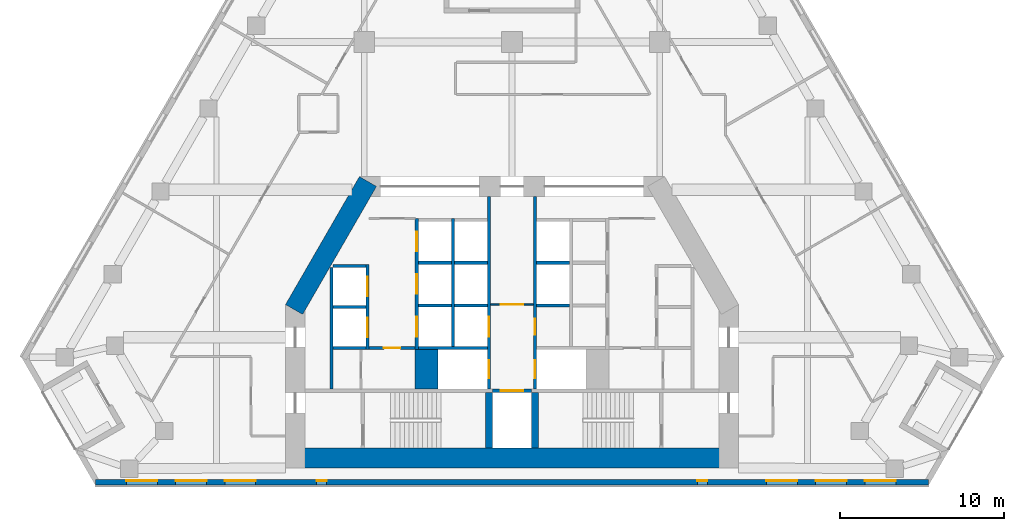
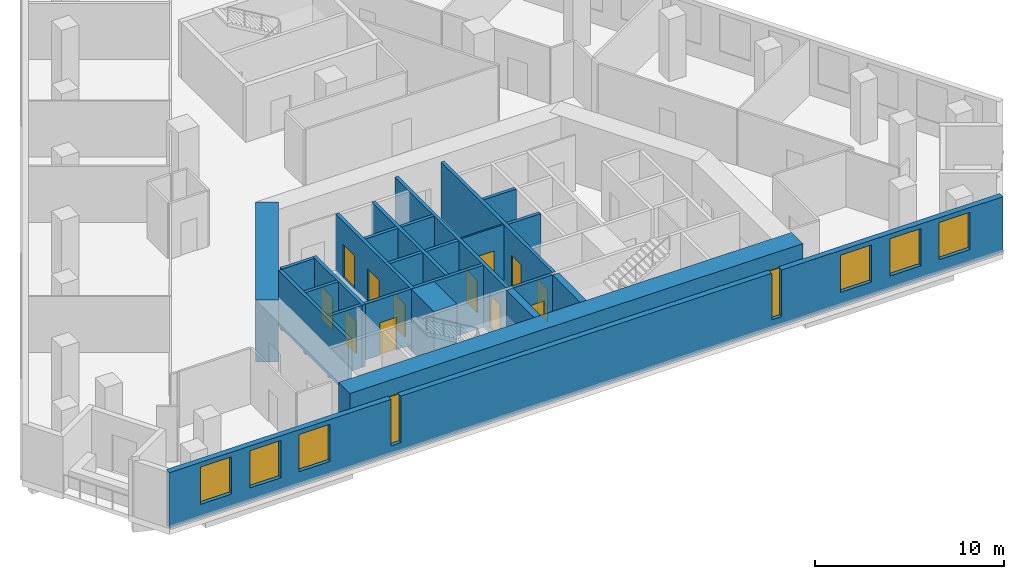
# One storey, part 4 of 10: 25 walls, 12 doors, 8 windows, 20 openings.
"""IFC4 building model written with IfcOpenShell, lengths in metres."""

from ifc_helpers import new_model, si_unit, direction, frame, frame_2d, origin, place, context, subcontext, project, spatial, rectangle, extrude, material, layer, layer_set, type_object, element, fill, save


model = new_model("IFC4")

# Units and contexts
model_context = context("Model", 3, precision=1e-05, world=origin(), true_north=direction((0.0, 1.0)))
body_context = subcontext(model_context, "Body", "Model", "MODEL_VIEW")
ifc_project = project(units=[si_unit("LENGTHUNIT", "METRE"), si_unit("AREAUNIT", "SQUARE_METRE"), si_unit("VOLUMEUNIT", "CUBIC_METRE"), si_unit("PLANEANGLEUNIT", "RADIAN"), si_unit("MASSUNIT", "GRAM", prefix="KILO")], contexts=[model_context])

# Site, building, storey
site_placement = place(None, origin())
site = spatial("IfcSite", under=ifc_project, at=site_placement, CompositionType="ELEMENT")
building_placement = place(site_placement, origin())
building = spatial("IfcBuilding", under=site, at=building_placement, Name="Fogline Exchange Tower", CompositionType="ELEMENT")
storey_placement = place(building_placement, frame((0.0, 0.0, 120.10009765625)))
storey = spatial("IfcBuildingStorey", under=building, at=storey_placement, Name="L26", CompositionType="ELEMENT", Elevation=120.10009765625)

# Wall, opening, door
ifc_material_1 = material(Name="Blockwork partition", Category="masonry")
ifc_layer_1 = layer(ifc_material_1, 0.10009765625)
ifc_layer_set_1 = layer_set([ifc_layer_1], Name="CW10")
wall_type_1 = type_object("IfcWallType", Name="CW10", PredefinedType="PARTITIONING", material=ifc_layer_set_1)
wall_1_placement = place(storey_placement, frame((-1.300048828125, 11.0, 0.0), z_axis=(0.0, 0.0, 1.0), x_axis=(1.0, 0.0, 0.0)))
wall_1 = element("IfcWall", 1, at=wall_1_placement, inside=storey, type_object=wall_type_1, Name="Lift lobby partition", PredefinedType="PARTITIONING", context=body_context, shape_type="SweptSolid", body=[
    extrude(rectangle(XDim=2.60009765625, YDim=0.10009765625, at=frame_2d((1.300048828125, 0.0))), origin(), (0.0, 0.0, 1.0), 3.599853515625),
])
opening_1_placement = place(wall_1_placement, frame((0.60009765625, 0.0, 0.0)))
opening_1 = element("IfcOpeningElement", 2, at=opening_1_placement, cuts=wall_1, Name="Opening T08-C019", PredefinedType="OPENING", context=body_context, shape_type="SweptSolid", body=[
    extrude(rectangle(XDim=1.39990234375, YDim=2.10009765625, at=frame_2d((0.699951171875, 1.050048828125))), frame((0.0, 0.06005859375, 0.0), z_axis=(0.0, -1.0, 0.0), x_axis=(1.0, 0.0, 0.0)), (0.0, 0.0, 1.0), 0.1201171875),
])
ifc_material_2 = material(Name="Steel and timber fire door", Category="steel")
door_type_1 = type_object("IfcDoorType", Name="D-LB1", OperationType="DOUBLE_DOOR_SINGLE_SWING", PredefinedType="DOOR", material=ifc_material_2)
door_1_placement = place(opening_1_placement, frame((1.39990234375, 0.0, 0.0), z_axis=(0.0, 0.0, 1.0), x_axis=(-1.0, 0.0, 0.0)))
door_1 = element("IfcDoor", 3, at=door_1_placement, inside=storey, type_object=door_type_1, Name="Door to firefighting lift lobby", OperationType="DOUBLE_DOOR_SINGLE_SWING", OverallHeight=2.10009765625, OverallWidth=1.39990234375, PredefinedType="DOOR", context=body_context, shape_type="SweptSolid", body=[
    extrude(rectangle(XDim=1.39990234375, YDim=2.10009765625, at=frame_2d((0.699951171875, 1.050048828125))), frame((0.0, 0.02490234375, 0.0), z_axis=(0.0, -1.0, 0.0), x_axis=(1.0, 0.0, 0.0)), (0.0, 0.0, 1.0), 0.050048828125),
])
fill(opening_1, door_1)

# Walls
ifc_material_3 = material(Name="Concrete C60", Category="concrete")
ifc_layer_2 = layer(ifc_material_3, 1.39990234375)
ifc_layer_set_2 = layer_set([ifc_layer_2], Name="CW140")
wall_type_2 = type_object("IfcWallType", Name="CW140", PredefinedType="SOLIDWALL", material=ifc_layer_set_2)
wall_2_placement = place(storey_placement, frame((-5.199951171875, 5.85009765625, -0.400146484375), z_axis=(0.0, 0.0, 1.0), x_axis=(0.0, 1.0, 0.0)))
element("IfcWall", 4, at=wall_2_placement, inside=storey, type_object=wall_type_2, Name="Lift shaft block wall", PredefinedType="SOLIDWALL", context=body_context, shape_type="SweptSolid", body=[
    extrude(rectangle(XDim=2.39990234375, YDim=1.39990234375, at=frame_2d((1.199951171875, 0.0))), origin(), (0.0, 0.0, 1.0), 4.0),
])
ifc_material_4 = material(Name="Concrete C40", Category="concrete")
ifc_layer_3 = layer(ifc_material_4, 0.199951171875)
ifc_layer_set_3 = layer_set([ifc_layer_3], Name="CW20")
wall_type_3 = type_object("IfcWallType", Name="CW20", PredefinedType="SOLIDWALL", material=ifc_layer_set_3)
wall_3_placement = place(storey_placement, frame((-11.0, 5.85009765625, 0.0), z_axis=(0.0, 0.0, 1.0), x_axis=(0.0, 1.0, 0.0)))
element("IfcWall", 5, at=wall_3_placement, inside=storey, type_object=wall_type_3, Name="Service room wall", PredefinedType="SOLIDWALL", context=body_context, shape_type="SweptSolid", body=[
    extrude(rectangle(XDim=7.39990234375, YDim=0.199951171875, at=frame_2d((3.699951171875, 0.0))), origin(), (0.0, 0.0, 1.0), 3.599853515625),
])

# Wall, opening, door
wall_4_placement = place(storey_placement, frame((-8.699951171875, 8.35009765625, 0.0), z_axis=(0.0, 0.0, 1.0), x_axis=(1.0, 0.0, 0.0)))
wall_4 = element("IfcWall", 6, at=wall_4_placement, inside=storey, type_object=wall_type_3, Name="WC wall", PredefinedType="SOLIDWALL", context=body_context, shape_type="SweptSolid", body=[
    extrude(rectangle(XDim=2.800048828125, YDim=0.199951171875, at=frame_2d((1.39990234375, 0.0))), origin(), (0.0, 0.0, 1.0), 3.599853515625),
])
opening_2_placement = place(wall_4_placement, frame((0.89990234375, 0.0, 0.0)))
opening_2 = element("IfcOpeningElement", 7, at=opening_2_placement, cuts=wall_4, Name="Opening T08-C008", PredefinedType="OPENING", context=body_context, shape_type="SweptSolid", body=[
    extrude(rectangle(XDim=1.0, YDim=2.10009765625, at=frame_2d((0.5, 1.050048828125))), frame((0.0, 0.10986328125, 0.0), z_axis=(0.0, -1.0, 0.0), x_axis=(1.0, 0.0, 0.0)), (0.0, 0.0, 1.0), 0.219970703125),
])
door_type_2 = type_object("IfcDoorType", Name="D-WC1", OperationType="SINGLE_SWING_LEFT", PredefinedType="DOOR", material=ifc_material_2)
door_2_placement = place(opening_2_placement, frame((1.0, 0.0, 0.0), z_axis=(0.0, 0.0, 1.0), x_axis=(-1.0, 0.0, 0.0)))
door_2 = element("IfcDoor", 8, at=door_2_placement, inside=storey, type_object=door_type_2, Name="Door to Men's WC", OperationType="SINGLE_SWING_LEFT", OverallHeight=2.10009765625, OverallWidth=1.0, PredefinedType="DOOR", context=body_context, shape_type="SweptSolid", body=[
    extrude(rectangle(XDim=1.0, YDim=2.10009765625, at=frame_2d((0.5, 1.050048828125))), frame((0.0, 0.02490234375, 0.0), z_axis=(0.0, -1.0, 0.0), x_axis=(1.0, 0.0, 0.0)), (0.0, 0.0, 1.0), 0.050048828125),
])
fill(opening_2, door_2)

ifc_layer_4 = layer(ifc_material_4, 0.199951171875)
ifc_layer_set_4 = layer_set([ifc_layer_4], Name="CW20R")
wall_type_4 = type_object("IfcWallType", Name="CW20R", PredefinedType="SOLIDWALL", material=ifc_layer_set_4)
wall_5_placement = place(storey_placement, frame((-1.199951171875, 5.75, -0.400146484375), z_axis=(0.0, 0.0, 1.0), x_axis=(1.0, 0.0, 0.0)))
wall_5 = element("IfcWall", 9, at=wall_5_placement, inside=storey, type_object=wall_type_4, Name="Stair enclosure wall", PredefinedType="SOLIDWALL", context=body_context, shape_type="SweptSolid", body=[
    extrude(rectangle(XDim=2.39990234375, YDim=0.199951171875, at=frame_2d((1.199951171875, 0.0))), origin(), (0.0, 0.0, 1.0), 4.0),
])
opening_3_placement = place(wall_5_placement, frame((0.5, 0.0, 0.39990234375)))
opening_3 = element("IfcOpeningElement", 10, at=opening_3_placement, cuts=wall_5, Name="Opening T08-LD09", PredefinedType="OPENING", context=body_context, shape_type="SweptSolid", body=[
    extrude(rectangle(XDim=1.39990234375, YDim=2.10009765625, at=frame_2d((0.699951171875, 1.050048828125))), frame((0.0, 0.10986328125, 0.0), z_axis=(0.0, -1.0, 0.0), x_axis=(1.0, 0.0, 0.0)), (0.0, 0.0, 1.0), 0.219970703125),
])
door_type_3 = type_object("IfcDoorType", Name="LD3", OperationType="SLIDING_TO_LEFT", PredefinedType="DOOR", material=ifc_material_2)
door_3_placement = place(opening_3_placement, origin())
door_3 = element("IfcDoor", 11, at=door_3_placement, inside=storey, type_object=door_type_3, Name="Landing door GL1", OperationType="SLIDING_TO_LEFT", OverallHeight=2.10009765625, OverallWidth=1.39990234375, PredefinedType="DOOR", context=body_context, shape_type="SweptSolid", body=[
    extrude(rectangle(XDim=1.39990234375, YDim=2.10009765625, at=frame_2d((0.699951171875, 1.050048828125))), frame((0.0, 0.02490234375, 0.0), z_axis=(0.0, -1.0, 0.0), x_axis=(1.0, 0.0, 0.0)), (0.0, 0.0, 1.0), 0.050048828125),
])
fill(opening_3, door_3)

# Wall, openings, doors
ifc_layer_5 = layer(ifc_material_4, 0.199951171875)
ifc_layer_set_5 = layer_set([ifc_layer_5], Name="CW20S")
wall_type_5 = type_object("IfcWallType", Name="CW20S", PredefinedType="SOLIDWALL", material=ifc_layer_set_5)
wall_6_placement = place(storey_placement, frame((-8.800048828125, 8.25, -0.400146484375), z_axis=(0.0, 0.0, 1.0), x_axis=(0.0, 1.0, 0.0)))
wall_6 = element("IfcWall", 12, at=wall_6_placement, inside=storey, type_object=wall_type_5, Name="Lift shaft wall", PredefinedType="SOLIDWALL", context=body_context, shape_type="SweptSolid", body=[
    extrude(rectangle(XDim=5.199951171875, YDim=0.199951171875, at=frame_2d((2.60009765625, 0.0))), origin(), (0.0, 0.0, 1.0), 4.0),
])
opening_4_placement = place(wall_6_placement, frame((0.75, 0.0, 0.39990234375)))
opening_4 = element("IfcOpeningElement", 13, at=opening_4_placement, cuts=wall_6, Name="Opening T08-LD01", PredefinedType="OPENING", context=body_context, shape_type="SweptSolid", body=[
    extrude(rectangle(XDim=1.199951171875, YDim=2.10009765625, at=frame_2d((0.60009765625, 1.050048828125))), frame((0.0, 0.10986328125, 0.0), z_axis=(0.0, -1.0, 0.0), x_axis=(1.0, 0.0, 0.0)), (0.0, 0.0, 1.0), 0.219970703125),
])
opening_5_placement = place(wall_6_placement, frame((3.25, 0.0, 0.39990234375)))
opening_5 = element("IfcOpeningElement", 14, at=opening_5_placement, cuts=wall_6, Name="Opening T08-LD02", PredefinedType="OPENING", context=body_context, shape_type="SweptSolid", body=[
    extrude(rectangle(XDim=1.199951171875, YDim=2.10009765625, at=frame_2d((0.60009765625, 1.050048828125))), frame((0.0, 0.10986328125, 0.0), z_axis=(0.0, -1.0, 0.0), x_axis=(1.0, 0.0, 0.0)), (0.0, 0.0, 1.0), 0.219970703125),
])
door_type_4 = type_object("IfcDoorType", Name="LD1", OperationType="SLIDING_TO_LEFT", PredefinedType="DOOR", material=ifc_material_2)
door_4_placement = place(opening_4_placement, origin())
door_4 = element("IfcDoor", 15, at=door_4_placement, inside=storey, type_object=door_type_4, Name="Landing door LR1", OperationType="SLIDING_TO_LEFT", OverallHeight=2.10009765625, OverallWidth=1.199951171875, PredefinedType="DOOR", context=body_context, shape_type="SweptSolid", body=[
    extrude(rectangle(XDim=1.199951171875, YDim=2.10009765625, at=frame_2d((0.60009765625, 1.050048828125))), frame((0.0, 0.02490234375, 0.0), z_axis=(0.0, -1.0, 0.0), x_axis=(1.0, 0.0, 0.0)), (0.0, 0.0, 1.0), 0.050048828125),
])
fill(opening_4, door_4)
door_5_placement = place(opening_5_placement, origin())
door_5 = element("IfcDoor", 16, at=door_5_placement, inside=storey, type_object=door_type_4, Name="Landing door LR2", OperationType="SLIDING_TO_LEFT", OverallHeight=2.10009765625, OverallWidth=1.199951171875, PredefinedType="DOOR", context=body_context, shape_type="SweptSolid", body=[
    extrude(rectangle(XDim=1.199951171875, YDim=2.10009765625, at=frame_2d((0.60009765625, 1.050048828125))), frame((0.0, 0.02490234375, 0.0), z_axis=(0.0, -1.0, 0.0), x_axis=(1.0, 0.0, 0.0)), (0.0, 0.0, 1.0), 0.050048828125),
])
fill(opening_5, door_5)

wall_7_placement = place(storey_placement, frame((-5.800048828125, 8.25, -0.400146484375), z_axis=(0.0, 0.0, 1.0), x_axis=(0.0, 1.0, 0.0)))
wall_7 = element("IfcWall", 17, at=wall_7_placement, inside=storey, type_object=wall_type_5, Name="Lift shaft wall", PredefinedType="SOLIDWALL", context=body_context, shape_type="SweptSolid", body=[
    extrude(rectangle(XDim=8.0, YDim=0.199951171875, at=frame_2d((4.0, 0.0))), origin(), (0.0, 0.0, 1.0), 4.0),
])
opening_6_placement = place(wall_7_placement, frame((0.800048828125, 0.0, 0.39990234375)))
opening_6 = element("IfcOpeningElement", 18, at=opening_6_placement, cuts=wall_7, Name="Opening T08-LD03", PredefinedType="OPENING", context=body_context, shape_type="SweptSolid", body=[
    extrude(rectangle(XDim=1.199951171875, YDim=2.10009765625, at=frame_2d((0.60009765625, 1.050048828125))), frame((0.0, 0.10986328125, 0.0), z_axis=(0.0, -1.0, 0.0), x_axis=(1.0, 0.0, 0.0)), (0.0, 0.0, 1.0), 0.219970703125),
])
opening_7_placement = place(wall_7_placement, frame((3.39990234375, 0.0, 0.39990234375)))
opening_7 = element("IfcOpeningElement", 19, at=opening_7_placement, cuts=wall_7, Name="Opening T08-LD04", PredefinedType="OPENING", context=body_context, shape_type="SweptSolid", body=[
    extrude(rectangle(XDim=1.199951171875, YDim=2.10009765625, at=frame_2d((0.60009765625, 1.050048828125))), frame((0.0, 0.10986328125, 0.0), z_axis=(0.0, -1.0, 0.0), x_axis=(1.0, 0.0, 0.0)), (0.0, 0.0, 1.0), 0.219970703125),
])
opening_8_placement = place(wall_7_placement, frame((6.0, 0.0, 0.39990234375)))
opening_8 = element("IfcOpeningElement", 20, at=opening_8_placement, cuts=wall_7, Name="Opening T08-LD05", PredefinedType="OPENING", context=body_context, shape_type="SweptSolid", body=[
    extrude(rectangle(XDim=1.199951171875, YDim=2.10009765625, at=frame_2d((0.60009765625, 1.050048828125))), frame((0.0, 0.10986328125, 0.0), z_axis=(0.0, -1.0, 0.0), x_axis=(1.0, 0.0, 0.0)), (0.0, 0.0, 1.0), 0.219970703125),
])
door_6_placement = place(opening_6_placement, origin())
door_6 = element("IfcDoor", 21, at=door_6_placement, inside=storey, type_object=door_type_4, Name="Landing door LR3", OperationType="SLIDING_TO_LEFT", OverallHeight=2.10009765625, OverallWidth=1.199951171875, PredefinedType="DOOR", context=body_context, shape_type="SweptSolid", body=[
    extrude(rectangle(XDim=1.199951171875, YDim=2.10009765625, at=frame_2d((0.60009765625, 1.050048828125))), frame((0.0, 0.02490234375, 0.0), z_axis=(0.0, -1.0, 0.0), x_axis=(1.0, 0.0, 0.0)), (0.0, 0.0, 1.0), 0.050048828125),
])
fill(opening_6, door_6)
door_7_placement = place(opening_7_placement, origin())
door_7 = element("IfcDoor", 22, at=door_7_placement, inside=storey, type_object=door_type_4, Name="Landing door LR4", OperationType="SLIDING_TO_LEFT", OverallHeight=2.10009765625, OverallWidth=1.199951171875, PredefinedType="DOOR", context=body_context, shape_type="SweptSolid", body=[
    extrude(rectangle(XDim=1.199951171875, YDim=2.10009765625, at=frame_2d((0.60009765625, 1.050048828125))), frame((0.0, 0.02490234375, 0.0), z_axis=(0.0, -1.0, 0.0), x_axis=(1.0, 0.0, 0.0)), (0.0, 0.0, 1.0), 0.050048828125),
])
fill(opening_7, door_7)
door_8_placement = place(opening_8_placement, origin())
door_8 = element("IfcDoor", 23, at=door_8_placement, inside=storey, type_object=door_type_4, Name="Landing door LR5", OperationType="SLIDING_TO_LEFT", OverallHeight=2.10009765625, OverallWidth=1.199951171875, PredefinedType="DOOR", context=body_context, shape_type="SweptSolid", body=[
    extrude(rectangle(XDim=1.199951171875, YDim=2.10009765625, at=frame_2d((0.60009765625, 1.050048828125))), frame((0.0, 0.02490234375, 0.0), z_axis=(0.0, -1.0, 0.0), x_axis=(1.0, 0.0, 0.0)), (0.0, 0.0, 1.0), 0.050048828125),
])
fill(opening_8, door_8)

# Wall
wall_8_placement = place(storey_placement, frame((-3.60009765625, 8.449951171875, -0.400146484375), z_axis=(0.0, 0.0, 1.0), x_axis=(0.0, 1.0, 0.0)))
element("IfcWall", 24, at=wall_8_placement, inside=storey, type_object=wall_type_5, Name="Lift shaft wall", PredefinedType="SOLIDWALL", context=body_context, shape_type="SweptSolid", body=[
    extrude(rectangle(XDim=7.800048828125, YDim=0.199951171875, at=frame_2d((3.89990234375, 0.0))), origin(), (0.0, 0.0, 1.0), 4.0),
])

# Wall, openings, doors
wall_9_placement = place(storey_placement, frame((-1.39990234375, 5.85009765625, -0.400146484375), z_axis=(0.0, 0.0, 1.0), x_axis=(0.0, 1.0, 0.0)))
wall_9 = element("IfcWall", 25, at=wall_9_placement, inside=storey, type_object=wall_type_5, Name="Lift lobby wall", PredefinedType="SOLIDWALL", context=body_context, shape_type="SweptSolid", body=[
    extrude(rectangle(XDim=11.75, YDim=0.199951171875, at=frame_2d((5.875, 0.0))), origin(), (0.0, 0.0, 1.0), 4.0),
])
opening_9_placement = place(wall_9_placement, frame((3.199951171875, 0.0, 0.39990234375)))
opening_9 = element("IfcOpeningElement", 26, at=opening_9_placement, cuts=wall_9, Name="Opening T08-LD06", PredefinedType="OPENING", context=body_context, shape_type="SweptSolid", body=[
    extrude(rectangle(XDim=1.199951171875, YDim=2.10009765625, at=frame_2d((0.60009765625, 1.050048828125))), frame((0.0, 0.10986328125, 0.0), z_axis=(0.0, -1.0, 0.0), x_axis=(1.0, 0.0, 0.0)), (0.0, 0.0, 1.0), 0.219970703125),
])
opening_10_placement = place(wall_9_placement, frame((0.64990234375, 0.0, 0.39990234375)))
opening_10 = element("IfcOpeningElement", 27, at=opening_10_placement, cuts=wall_9, Name="Opening T08-LD07", PredefinedType="OPENING", context=body_context, shape_type="SweptSolid", body=[
    extrude(rectangle(XDim=1.10009765625, YDim=2.10009765625, at=frame_2d((0.550048828125, 1.050048828125))), frame((0.0, 0.10986328125, 0.0), z_axis=(0.0, -1.0, 0.0), x_axis=(1.0, 0.0, 0.0)), (0.0, 0.0, 1.0), 0.219970703125),
])
door_9_placement = place(opening_9_placement, origin())
door_9 = element("IfcDoor", 28, at=door_9_placement, inside=storey, type_object=door_type_4, Name="Landing door LR6", OperationType="SLIDING_TO_LEFT", OverallHeight=2.10009765625, OverallWidth=1.199951171875, PredefinedType="DOOR", context=body_context, shape_type="SweptSolid", body=[
    extrude(rectangle(XDim=1.199951171875, YDim=2.10009765625, at=frame_2d((0.60009765625, 1.050048828125))), frame((0.0, 0.02490234375, 0.0), z_axis=(0.0, -1.0, 0.0), x_axis=(1.0, 0.0, 0.0)), (0.0, 0.0, 1.0), 0.050048828125),
])
fill(opening_9, door_9)
door_type_5 = type_object("IfcDoorType", Name="LD2", OperationType="SLIDING_TO_RIGHT", PredefinedType="DOOR", material=ifc_material_2)
door_10_placement = place(opening_10_placement, origin())
door_10 = element("IfcDoor", 29, at=door_10_placement, inside=storey, type_object=door_type_5, Name="Landing door FF1", OperationType="SLIDING_TO_RIGHT", OverallHeight=2.10009765625, OverallWidth=1.10009765625, PredefinedType="DOOR", context=body_context, shape_type="SweptSolid", body=[
    extrude(rectangle(XDim=1.10009765625, YDim=2.10009765625, at=frame_2d((0.550048828125, 1.050048828125))), frame((0.0, 0.02490234375, 0.0), z_axis=(0.0, -1.0, 0.0), x_axis=(1.0, 0.0, 0.0)), (0.0, 0.0, 1.0), 0.050048828125),
])
fill(opening_10, door_10)

wall_10_placement = place(storey_placement, frame((1.39990234375, 5.85009765625, -0.400146484375), z_axis=(0.0, 0.0, 1.0), x_axis=(0.0, 1.0, 0.0)))
wall_10 = element("IfcWall", 30, at=wall_10_placement, inside=storey, type_object=wall_type_5, Name="Lift lobby wall", PredefinedType="SOLIDWALL", context=body_context, shape_type="SweptSolid", body=[
    extrude(rectangle(XDim=11.75, YDim=0.199951171875, at=frame_2d((5.875, 0.0))), origin(), (0.0, 0.0, 1.0), 4.0),
])
opening_11_placement = place(wall_10_placement, frame((0.64990234375, 0.0, 0.39990234375)))
opening_11 = element("IfcOpeningElement", 31, at=opening_11_placement, cuts=wall_10, Name="Opening T08-LD08", PredefinedType="OPENING", context=body_context, shape_type="SweptSolid", body=[
    extrude(rectangle(XDim=1.10009765625, YDim=2.10009765625, at=frame_2d((0.550048828125, 1.050048828125))), frame((0.0, 0.10986328125, 0.0), z_axis=(0.0, -1.0, 0.0), x_axis=(1.0, 0.0, 0.0)), (0.0, 0.0, 1.0), 0.219970703125),
])
opening_12_placement = place(wall_10_placement, frame((3.300048828125, 0.0, 0.39990234375)))
opening_12 = element("IfcOpeningElement", 32, at=opening_12_placement, cuts=wall_10, Name="Opening T08-C006", PredefinedType="OPENING", context=body_context, shape_type="SweptSolid", body=[
    extrude(rectangle(XDim=1.0, YDim=2.10009765625, at=frame_2d((0.5, 1.050048828125))), frame((0.0, 0.10986328125, 0.0), z_axis=(0.0, -1.0, 0.0), x_axis=(1.0, 0.0, 0.0)), (0.0, 0.0, 1.0), 0.219970703125),
])
door_type_6 = type_object("IfcDoorType", Name="D-RM1", OperationType="SINGLE_SWING_LEFT", PredefinedType="DOOR", material=ifc_material_2)
door_11_placement = place(opening_12_placement, frame((1.0, 0.0, 0.0), z_axis=(0.0, 0.0, 1.0), x_axis=(-1.0, 0.0, 0.0)))
door_11 = element("IfcDoor", 33, at=door_11_placement, inside=storey, type_object=door_type_6, Name="Door to Archive Store", OperationType="SINGLE_SWING_RIGHT", OverallHeight=2.10009765625, OverallWidth=1.0, PredefinedType="DOOR", context=body_context, shape_type="SweptSolid", body=[
    extrude(rectangle(XDim=1.0, YDim=2.10009765625, at=frame_2d((0.5, 1.050048828125))), frame((0.0, 0.02490234375, 0.0), z_axis=(0.0, -1.0, 0.0), x_axis=(1.0, 0.0, 0.0)), (0.0, 0.0, 1.0), 0.050048828125),
])
fill(opening_12, door_11)
door_12_placement = place(opening_11_placement, origin())
door_12 = element("IfcDoor", 34, at=door_12_placement, inside=storey, type_object=door_type_5, Name="Landing door FF2", OperationType="SLIDING_TO_RIGHT", OverallHeight=2.10009765625, OverallWidth=1.10009765625, PredefinedType="DOOR", context=body_context, shape_type="SweptSolid", body=[
    extrude(rectangle(XDim=1.10009765625, YDim=2.10009765625, at=frame_2d((0.550048828125, 1.050048828125))), frame((0.0, 0.02490234375, 0.0), z_axis=(0.0, -1.0, 0.0), x_axis=(1.0, 0.0, 0.0)), (0.0, 0.0, 1.0), 0.050048828125),
])
fill(opening_11, door_12)

# Walls
wall_11_placement = place(storey_placement, frame((-10.89990234375, 8.35009765625, -0.400146484375), z_axis=(0.0, 0.0, 1.0), x_axis=(1.0, 0.0, 0.0)))
element("IfcWall", 35, at=wall_11_placement, inside=storey, type_object=wall_type_5, Name="Lift shaft wall", PredefinedType="SOLIDWALL", context=body_context, shape_type="SweptSolid", body=[
    extrude(rectangle(XDim=2.0, YDim=0.199951171875, at=frame_2d((1.0, 0.0))), origin(), (0.0, 0.0, 1.0), 4.0),
])
wall_12_placement = place(storey_placement, frame((-5.699951171875, 8.35009765625, -0.400146484375), z_axis=(0.0, 0.0, 1.0), x_axis=(1.0, 0.0, 0.0)))
element("IfcWall", 36, at=wall_12_placement, inside=storey, type_object=wall_type_5, Name="Lift shaft wall", PredefinedType="SOLIDWALL", context=body_context, shape_type="SweptSolid", body=[
    extrude(rectangle(XDim=4.199951171875, YDim=0.199951171875, at=frame_2d((2.10009765625, 0.0))), origin(), (0.0, 0.0, 1.0), 4.0),
])
for number, where, z_axis, x_axis, name in (
    (37, (-10.89990234375, 10.85009765625, -0.400146484375), (0.0, 0.0, 1.0), (1.0, 0.0, 0.0), "Lift shaft wall"),
    (38, (-10.89990234375, 13.35009765625, -0.400146484375), (0.0, 0.0, 1.0), (1.0, 0.0, 0.0), "Lift shaft wall"),
    (39, (-5.699951171875, 10.949951171875, -0.400146484375), (0.0, 0.0, 1.0), (1.0, 0.0, 0.0), "Lift shaft wall"),
    (40, (-5.699951171875, 13.550048828125, -0.400146484375), (0.0, 0.0, 1.0), (1.0, 0.0, 0.0), "Lift shaft wall"),
    (41, (-3.5, 10.949951171875, -0.400146484375), (0.0, 0.0, 1.0), (1.0, 0.0, 0.0), "Lift shaft wall"),
    (42, (-3.5, 13.550048828125, -0.400146484375), (0.0, 0.0, 1.0), (1.0, 0.0, 0.0), "Lift shaft wall"),
    (43, (1.5, 10.949951171875, -0.400146484375), (0.0, 0.0, 1.0), (1.0, 0.0, 0.0), "Lift shaft wall"),
    (44, (1.5, 13.550048828125, -0.400146484375), (0.0, 0.0, 1.0), (1.0, 0.0, 0.0), "Lift shaft wall"),
):
    element("IfcWall", number, at=place(storey_placement, frame(where, z_axis=z_axis, x_axis=x_axis)), inside=storey, type_object=wall_type_5, Name=name, PredefinedType="SOLIDWALL", context=body_context, shape_type="SweptSolid", body=[
        extrude(rectangle(XDim=2.0, YDim=0.199951171875, at=frame_2d((1.0, 0.0))), origin(), (0.0, 0.0, 1.0), 4.0),
    ])
ifc_layer_6 = layer(ifc_material_4, 0.39990234375)
ifc_layer_set_6 = layer_set([ifc_layer_6], Name="CW40R")
wall_type_6 = type_object("IfcWallType", Name="CW40R", PredefinedType="SOLIDWALL", material=ifc_layer_set_6)
for number, where, z_axis, x_axis, name in (
    (45, (-1.39990234375, 2.25, -0.400146484375), (0.0, 0.0, 1.0), (0.0, 1.0, 0.0), "Stair and lift shaft wall"),
    (46, (1.39990234375, 2.25, -0.400146484375), (0.0, 0.0, 1.0), (0.0, 1.0, 0.0), "Stair and lift shaft wall"),
):
    element("IfcWall", number, at=place(storey_placement, frame(where, z_axis=z_axis, x_axis=x_axis)), inside=storey, type_object=wall_type_6, Name=name, PredefinedType="SOLIDWALL", context=body_context, shape_type="SweptSolid", body=[
        extrude(rectangle(XDim=3.39990234375, YDim=0.39990234375, at=frame_2d((1.699951171875, 0.0))), origin(), (0.0, 0.0, 1.0), 4.0),
    ])

# Wall, openings, windows
ifc_material_5 = material(Name="Brick masonry", Category="masonry")
ifc_layer_7 = layer(ifc_material_5, 0.340087890625)
ifc_layer_set_7 = layer_set([ifc_layer_7], Name="FW1")
wall_type_7 = type_object("IfcWallType", Name="FW1", PredefinedType="SOLIDWALL", material=ifc_layer_set_7)
wall_13_placement = place(storey_placement, frame((-25.393310546875, 0.169921875, 0.0), z_axis=(0.0, 0.0, 1.0), x_axis=(1.0, 0.0, 0.0)))
wall_13 = element("IfcWall", 47, at=wall_13_placement, inside=storey, type_object=wall_type_7, Name="Brick wall L26 S", PredefinedType="SOLIDWALL", context=body_context, shape_type="SweptSolid", body=[
    extrude(rectangle(XDim=50.78662109375, YDim=0.340087890625, at=frame_2d((25.393310546875, 0.0))), origin(), (0.0, 0.0, 1.0), 3.599853515625),
])
opening_13_placement = place(wall_13_placement, frame((1.893310546875, 0.0, 0.89990234375)))
opening_13 = element("IfcOpeningElement", 48, at=opening_13_placement, cuts=wall_13, Name="Opening W1", PredefinedType="OPENING", context=body_context, shape_type="SweptSolid", body=[
    extrude(rectangle(XDim=1.885009765625, YDim=2.39990234375, at=frame_2d((0.9423828125, 1.199951171875))), frame((0.0, 0.18017578125, 0.0), z_axis=(0.0, -1.0, 0.0), x_axis=(1.0, 0.0, 0.0)), (0.0, 0.0, 1.0), 0.360107421875),
])
opening_14_placement = place(wall_13_placement, frame((4.893310546875, 0.0, 0.89990234375)))
opening_14 = element("IfcOpeningElement", 49, at=opening_14_placement, cuts=wall_13, Name="Opening W1", PredefinedType="OPENING", context=body_context, shape_type="SweptSolid", body=[
    extrude(rectangle(XDim=1.885009765625, YDim=2.39990234375, at=frame_2d((0.9423828125, 1.199951171875))), frame((0.0, 0.18017578125, 0.0), z_axis=(0.0, -1.0, 0.0), x_axis=(1.0, 0.0, 0.0)), (0.0, 0.0, 1.0), 0.360107421875),
])
opening_15_placement = place(wall_13_placement, frame((7.893310546875, 0.0, 0.89990234375)))
opening_15 = element("IfcOpeningElement", 50, at=opening_15_placement, cuts=wall_13, Name="Opening W1", PredefinedType="OPENING", context=body_context, shape_type="SweptSolid", body=[
    extrude(rectangle(XDim=1.885009765625, YDim=2.39990234375, at=frame_2d((0.9423828125, 1.199951171875))), frame((0.0, 0.18017578125, 0.0), z_axis=(0.0, -1.0, 0.0), x_axis=(1.0, 0.0, 0.0)), (0.0, 0.0, 1.0), 0.360107421875),
])
opening_16_placement = place(wall_13_placement, frame((40.893310546875, 0.0, 0.89990234375)))
opening_16 = element("IfcOpeningElement", 51, at=opening_16_placement, cuts=wall_13, Name="Opening W1", PredefinedType="OPENING", context=body_context, shape_type="SweptSolid", body=[
    extrude(rectangle(XDim=1.885009765625, YDim=2.39990234375, at=frame_2d((0.9423828125, 1.199951171875))), frame((0.0, 0.18017578125, 0.0), z_axis=(0.0, -1.0, 0.0), x_axis=(1.0, 0.0, 0.0)), (0.0, 0.0, 1.0), 0.360107421875),
])
opening_17_placement = place(wall_13_placement, frame((43.893310546875, 0.0, 0.89990234375)))
opening_17 = element("IfcOpeningElement", 52, at=opening_17_placement, cuts=wall_13, Name="Opening W1", PredefinedType="OPENING", context=body_context, shape_type="SweptSolid", body=[
    extrude(rectangle(XDim=1.885009765625, YDim=2.39990234375, at=frame_2d((0.9423828125, 1.199951171875))), frame((0.0, 0.18017578125, 0.0), z_axis=(0.0, -1.0, 0.0), x_axis=(1.0, 0.0, 0.0)), (0.0, 0.0, 1.0), 0.360107421875),
])
opening_18_placement = place(wall_13_placement, frame((46.893310546875, 0.0, 0.89990234375)))
opening_18 = element("IfcOpeningElement", 53, at=opening_18_placement, cuts=wall_13, Name="Opening W1", PredefinedType="OPENING", context=body_context, shape_type="SweptSolid", body=[
    extrude(rectangle(XDim=1.885009765625, YDim=2.39990234375, at=frame_2d((0.9423828125, 1.199951171875))), frame((0.0, 0.18017578125, 0.0), z_axis=(0.0, -1.0, 0.0), x_axis=(1.0, 0.0, 0.0)), (0.0, 0.0, 1.0), 0.360107421875),
])
opening_19_placement = place(wall_13_placement, frame((13.4931640625, 0.0, 0.60009765625)))
opening_19 = element("IfcOpeningElement", 54, at=opening_19_placement, cuts=wall_13, Name="Opening W5", PredefinedType="OPENING", context=body_context, shape_type="SweptSolid", body=[
    extrude(rectangle(XDim=0.60009765625, YDim=3.0, at=frame_2d((0.300048828125, 1.5))), frame((0.0, 0.18017578125, 0.0), z_axis=(0.0, -1.0, 0.0), x_axis=(1.0, 0.0, 0.0)), (0.0, 0.0, 1.0), 0.360107421875),
])
opening_20_placement = place(wall_13_placement, frame((36.693359375, 0.0, 0.60009765625)))
opening_20 = element("IfcOpeningElement", 55, at=opening_20_placement, cuts=wall_13, Name="Opening W5", PredefinedType="OPENING", context=body_context, shape_type="SweptSolid", body=[
    extrude(rectangle(XDim=0.60009765625, YDim=3.0, at=frame_2d((0.300048828125, 1.5))), frame((0.0, 0.18017578125, 0.0), z_axis=(0.0, -1.0, 0.0), x_axis=(1.0, 0.0, 0.0)), (0.0, 0.0, 1.0), 0.360107421875),
])
ifc_material_6 = material(Name="Aluminium and glass", Category="aluminium")
window_type_1 = type_object("IfcWindowType", Name="W1", PartitioningType="SINGLE_PANEL", PredefinedType="WINDOW", material=ifc_material_6)
window_1_placement = place(opening_13_placement, origin())
window_1 = element("IfcWindow", 56, at=window_1_placement, inside=storey, type_object=window_type_1, Name="W1 W1", OverallHeight=2.39990234375, OverallWidth=1.885009765625, PartitioningType="SINGLE_PANEL", PredefinedType="WINDOW", context=body_context, shape_type="SweptSolid", body=[
    extrude(rectangle(XDim=1.885009765625, YDim=2.39990234375, at=frame_2d((0.9423828125, 1.199951171875))), frame((0.0, 0.110107421875, 0.0), z_axis=(0.0, -1.0, 0.0), x_axis=(1.0, 0.0, 0.0)), (0.0, 0.0, 1.0), 0.06005859375),
])
fill(opening_13, window_1)
window_2_placement = place(opening_14_placement, origin())
window_2 = element("IfcWindow", 57, at=window_2_placement, inside=storey, type_object=window_type_1, Name="W1 W1", OverallHeight=2.39990234375, OverallWidth=1.885009765625, PartitioningType="SINGLE_PANEL", PredefinedType="WINDOW", context=body_context, shape_type="SweptSolid", body=[
    extrude(rectangle(XDim=1.885009765625, YDim=2.39990234375, at=frame_2d((0.9423828125, 1.199951171875))), frame((0.0, 0.110107421875, 0.0), z_axis=(0.0, -1.0, 0.0), x_axis=(1.0, 0.0, 0.0)), (0.0, 0.0, 1.0), 0.06005859375),
])
fill(opening_14, window_2)
window_3_placement = place(opening_15_placement, origin())
window_3 = element("IfcWindow", 58, at=window_3_placement, inside=storey, type_object=window_type_1, Name="W1 W1", OverallHeight=2.39990234375, OverallWidth=1.885009765625, PartitioningType="SINGLE_PANEL", PredefinedType="WINDOW", context=body_context, shape_type="SweptSolid", body=[
    extrude(rectangle(XDim=1.885009765625, YDim=2.39990234375, at=frame_2d((0.9423828125, 1.199951171875))), frame((0.0, 0.110107421875, 0.0), z_axis=(0.0, -1.0, 0.0), x_axis=(1.0, 0.0, 0.0)), (0.0, 0.0, 1.0), 0.06005859375),
])
fill(opening_15, window_3)
window_4_placement = place(opening_16_placement, origin())
window_4 = element("IfcWindow", 59, at=window_4_placement, inside=storey, type_object=window_type_1, Name="W1 W1", OverallHeight=2.39990234375, OverallWidth=1.885009765625, PartitioningType="SINGLE_PANEL", PredefinedType="WINDOW", context=body_context, shape_type="SweptSolid", body=[
    extrude(rectangle(XDim=1.885009765625, YDim=2.39990234375, at=frame_2d((0.9423828125, 1.199951171875))), frame((0.0, 0.110107421875, 0.0), z_axis=(0.0, -1.0, 0.0), x_axis=(1.0, 0.0, 0.0)), (0.0, 0.0, 1.0), 0.06005859375),
])
fill(opening_16, window_4)
window_5_placement = place(opening_17_placement, origin())
window_5 = element("IfcWindow", 60, at=window_5_placement, inside=storey, type_object=window_type_1, Name="W1 W1", OverallHeight=2.39990234375, OverallWidth=1.885009765625, PartitioningType="SINGLE_PANEL", PredefinedType="WINDOW", context=body_context, shape_type="SweptSolid", body=[
    extrude(rectangle(XDim=1.885009765625, YDim=2.39990234375, at=frame_2d((0.9423828125, 1.199951171875))), frame((0.0, 0.110107421875, 0.0), z_axis=(0.0, -1.0, 0.0), x_axis=(1.0, 0.0, 0.0)), (0.0, 0.0, 1.0), 0.06005859375),
])
fill(opening_17, window_5)
window_6_placement = place(opening_18_placement, origin())
window_6 = element("IfcWindow", 61, at=window_6_placement, inside=storey, type_object=window_type_1, Name="W1 W1", OverallHeight=2.39990234375, OverallWidth=1.885009765625, PartitioningType="SINGLE_PANEL", PredefinedType="WINDOW", context=body_context, shape_type="SweptSolid", body=[
    extrude(rectangle(XDim=1.885009765625, YDim=2.39990234375, at=frame_2d((0.9423828125, 1.199951171875))), frame((0.0, 0.110107421875, 0.0), z_axis=(0.0, -1.0, 0.0), x_axis=(1.0, 0.0, 0.0)), (0.0, 0.0, 1.0), 0.06005859375),
])
fill(opening_18, window_6)
window_type_2 = type_object("IfcWindowType", Name="W5", PartitioningType="SINGLE_PANEL", PredefinedType="WINDOW", material=ifc_material_6)
window_7_placement = place(opening_19_placement, origin())
window_7 = element("IfcWindow", 62, at=window_7_placement, inside=storey, type_object=window_type_2, Name="W5 W5", OverallHeight=3.0, OverallWidth=0.60009765625, PartitioningType="SINGLE_PANEL", PredefinedType="WINDOW", context=body_context, shape_type="SweptSolid", body=[
    extrude(rectangle(XDim=0.60009765625, YDim=3.0, at=frame_2d((0.300048828125, 1.5))), frame((0.0, 0.110107421875, 0.0), z_axis=(0.0, -1.0, 0.0), x_axis=(1.0, 0.0, 0.0)), (0.0, 0.0, 1.0), 0.06005859375),
])
fill(opening_19, window_7)
window_8_placement = place(opening_20_placement, origin())
window_8 = element("IfcWindow", 63, at=window_8_placement, inside=storey, type_object=window_type_2, Name="W5 W5", OverallHeight=3.0, OverallWidth=0.60009765625, PartitioningType="SINGLE_PANEL", PredefinedType="WINDOW", context=body_context, shape_type="SweptSolid", body=[
    extrude(rectangle(XDim=0.60009765625, YDim=3.0, at=frame_2d((0.300048828125, 1.5))), frame((0.0, 0.110107421875, 0.0), z_axis=(0.0, -1.0, 0.0), x_axis=(1.0, 0.0, 0.0)), (0.0, 0.0, 1.0), 0.06005859375),
])
fill(opening_20, window_8)

# Walls
ifc_layer_8 = layer(ifc_material_3, 1.199951171875)
ifc_layer_set_8 = layer_set([ifc_layer_8], Name="SW02")
wall_type_8 = type_object("IfcWallType", Name="SW02", PredefinedType="SHEAR", material=ifc_layer_set_8)
wall_14_placement = place(storey_placement, frame((-13.800048828125, 1.64990234375, 0.0), z_axis=(0.0, 0.0, 1.0), x_axis=(1.0, 0.0, 0.0)))
element("IfcWall", 64, at=wall_14_placement, inside=storey, type_object=wall_type_8, Name="L26-W901", PredefinedType="SHEAR", context=body_context, shape_type="SweptSolid", body=[
    extrude(rectangle(XDim=27.60009765625, YDim=1.199951171875, at=frame_2d((13.800048828125, 0.0))), origin(), (0.0, 0.0, 1.0), 4.0),
])
wall_15_placement = place(storey_placement, frame((-8.776611328125, 18.5, 0.0), z_axis=(0.0, 0.0, 1.0), x_axis=(-0.499998513025, -0.866026262288, 0.0)))
element("IfcWall", 65, at=wall_15_placement, inside=storey, type_object=wall_type_8, Name="L26-W905", PredefinedType="SHEAR", context=body_context, shape_type="SweptSolid", body=[
    extrude(rectangle(XDim=9.0078125, YDim=1.199951171875, at=frame_2d((4.50390625, 0.0))), origin(), (0.0, 0.0, 1.0), 4.0),
])

save(model, "model.ifc")
